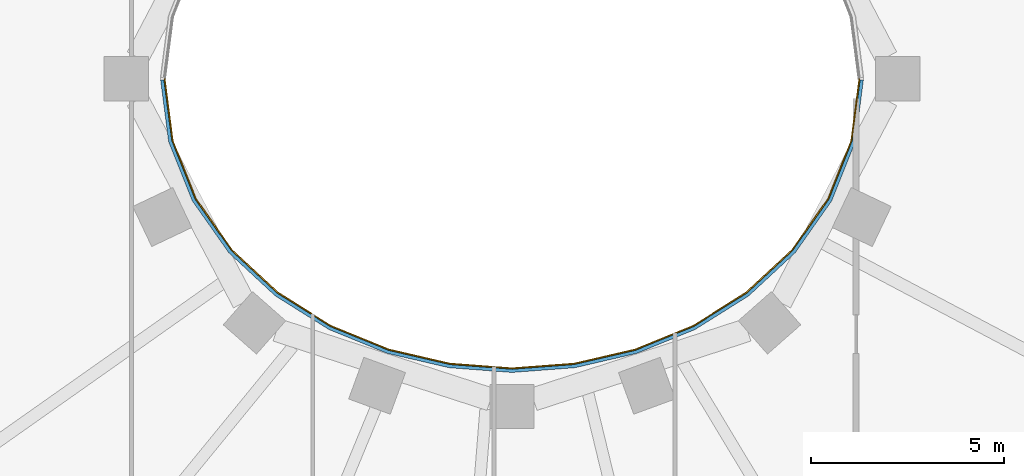
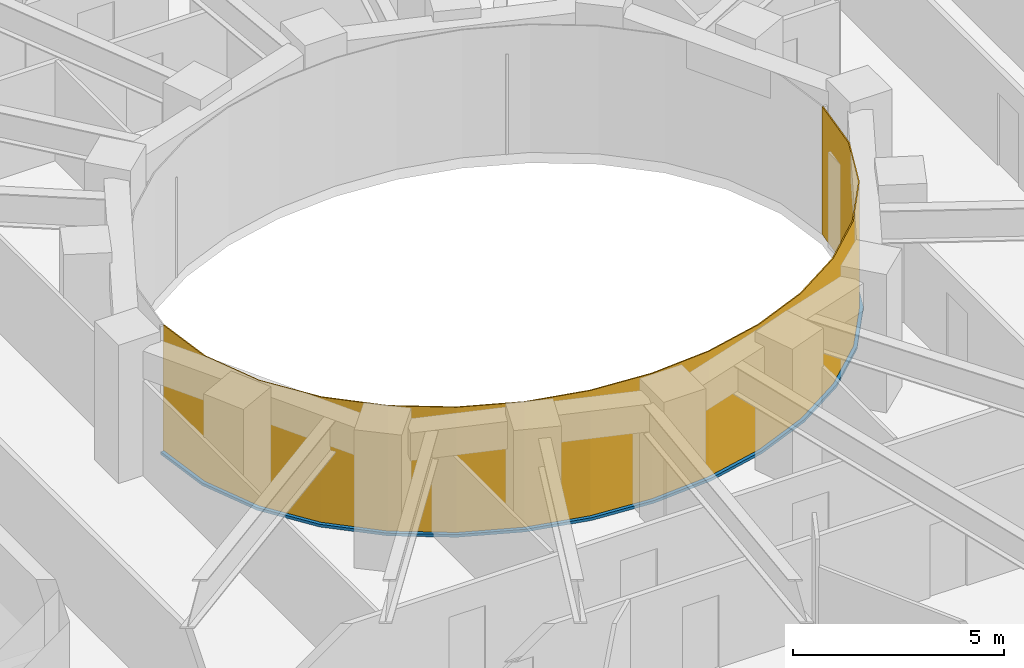
# One storey, part 10 of 16: 1 curtain wall, 1 member.
"""IFC4 building model written with IfcOpenShell, lengths in metres."""

from ifc_helpers import new_model, si_unit, direction, frame, origin, place, context, subcontext, project, spatial, polyline, outline, extrude, material, layer, layer_set, type_object, element, aggregate, save


model = new_model("IFC4")

# Units and contexts
model_context = context("Model", 3, precision=1e-05, world=origin(), true_north=direction((0.0, 1.0)))
body_context = subcontext(model_context, "Body", "Model", "MODEL_VIEW")
ifc_project = project(units=[si_unit("LENGTHUNIT", "METRE"), si_unit("AREAUNIT", "SQUARE_METRE"), si_unit("VOLUMEUNIT", "CUBIC_METRE"), si_unit("PLANEANGLEUNIT", "RADIAN"), si_unit("MASSUNIT", "GRAM", prefix="KILO")], contexts=[model_context])

# Member
ifc_material_1 = material(Name="Steel S355 fire-resisting frame", Category="steel")
member_type = type_object("IfcMemberType", Name="ENV-TRANSOM-W", PredefinedType="USERDEFINED", material=ifc_material_1)
site_placement = place(None, origin())
building_placement = place(site_placement, origin())
storey_placement = place(building_placement, frame((0.0, 0.0, 124.0)))
member_placement = place(storey_placement, origin())
member = element("IfcMember", 1, at=member_placement, type_object=member_type, Name="Transom W well 17-01", ObjectType="TRANSOM", PredefinedType="USERDEFINED", context=body_context, shape_type="SweptSolid", body=[
    extrude(outline(polyline([(-9.119384765625, -0.02783203125), (-8.910400390625, -1.63623046875), (-8.29833984375, -3.167236328125), (-7.35107421875, -4.5146484375), (-6.1455078125, -5.6337890625), (-4.75341796875, -6.50634765625), (-3.233642578125, -7.127685546875), (-1.635498046875, -7.498779296875), (0.0, -7.622314453125), (1.635498046875, -7.498779296875), (3.233642578125, -7.127685546875), (4.75341796875, -6.50634765625), (6.1455078125, -5.6337890625), (7.35107421875, -4.5146484375), (8.29833984375, -3.167236328125), (8.910400390625, -1.63623046875), (9.119384765625, -0.02783203125), (9.02880859375, -0.02783203125), (8.822509765625, -1.61328125), (8.21875, -3.124267578125), (7.282958984375, -4.455078125), (6.090576171875, -5.56201171875), (4.712158203125, -6.426025390625), (3.206298828125, -7.04150390625), (1.621826171875, -7.40966796875), (0.0, -7.531982421875), (-1.621826171875, -7.40966796875), (-3.206298828125, -7.04150390625), (-4.712158203125, -6.426025390625), (-6.090576171875, -5.56201171875), (-7.282958984375, -4.455078125), (-8.21875, -3.124267578125), (-8.822509765625, -1.61328125), (-9.02880859375, -0.02783203125), (-9.119384765625, -0.02783203125)])), origin(), (0.0, 0.0, 1.0), 0.080078125),
])

# Site, building, storey
site = spatial("IfcSite", under=ifc_project, at=site_placement, CompositionType="ELEMENT")
building = spatial("IfcBuilding", under=site, at=building_placement, Name="Noorbagh Ring Tower", CompositionType="ELEMENT")
storey = spatial("IfcBuildingStorey", under=building, at=storey_placement, Name="L28", CompositionType="ELEMENT", Elevation=124.0)

# Curtain wall
ifc_material_2 = material(Name="Glass fire-resisting E60 laminated", Category="glass")
ifc_layer = layer(ifc_material_2, 0.031982421875)
ifc_layer_set = layer_set([ifc_layer], Name="Glass fire-resisting E60 laminated")
curtain_wall_type = type_object("IfcCurtainWallType", Name="ENV-CW-W", PredefinedType="NOTDEFINED", material=ifc_layer_set)
curtain_wall_placement = place(storey_placement, origin())
curtain_wall = element("IfcCurtainWall", 2, at=curtain_wall_placement, inside=storey, type_object=curtain_wall_type, Name="Curtain wall W W17", PredefinedType="NOTDEFINED", context=body_context, shape_type="SweptSolid", body=[
    extrude(outline(polyline([(-9.0322265625, 0.0), (-8.822509765625, -1.61328125), (-8.21875, -3.124267578125), (-7.282958984375, -4.455078125), (-6.090576171875, -5.56201171875), (-4.712158203125, -6.426025390625), (-3.206298828125, -7.04150390625), (-1.621826171875, -7.40966796875), (0.0, -7.531982421875), (1.621826171875, -7.40966796875), (3.206298828125, -7.04150390625), (4.712158203125, -6.426025390625), (6.090576171875, -5.56201171875), (7.282958984375, -4.455078125), (8.21875, -3.124267578125), (8.822509765625, -1.61328125), (9.0322265625, 0.0), (9.0, 0.0), (8.79150390625, -1.605224609375), (8.1904296875, -3.10888671875), (7.2587890625, -4.43408203125), (6.071044921875, -5.53662109375), (4.697509765625, -6.3974609375), (3.196533203125, -7.010986328125), (1.6171875, -7.3779296875), (0.0, -7.5), (-1.6171875, -7.3779296875), (-3.196533203125, -7.010986328125), (-4.697509765625, -6.3974609375), (-6.071044921875, -5.53662109375), (-7.2587890625, -4.43408203125), (-8.1904296875, -3.10888671875), (-8.79150390625, -1.605224609375), (-9.0, 0.0), (-9.0322265625, 0.0)])), origin(), (0.0, 0.0, 1.0), 3.699951171875),
])

aggregate(curtain_wall, [member])

save(model, "model.ifc")
